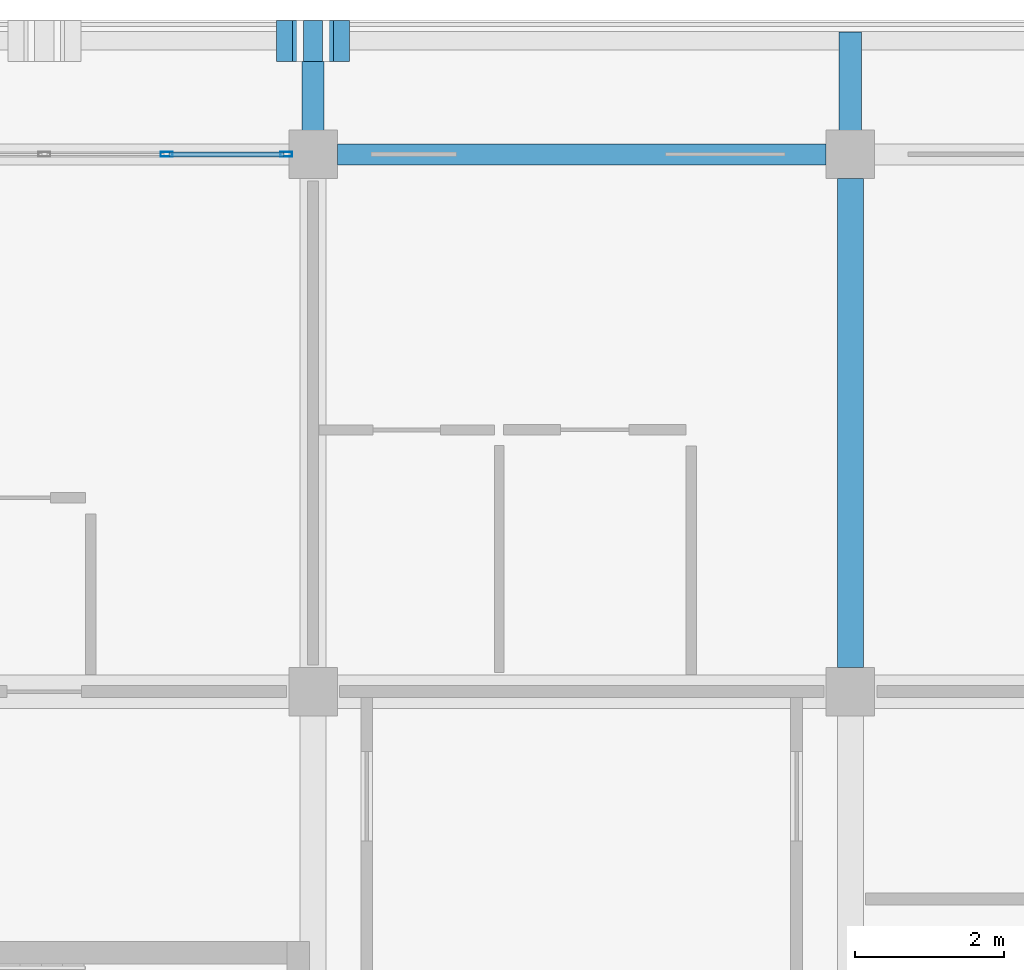
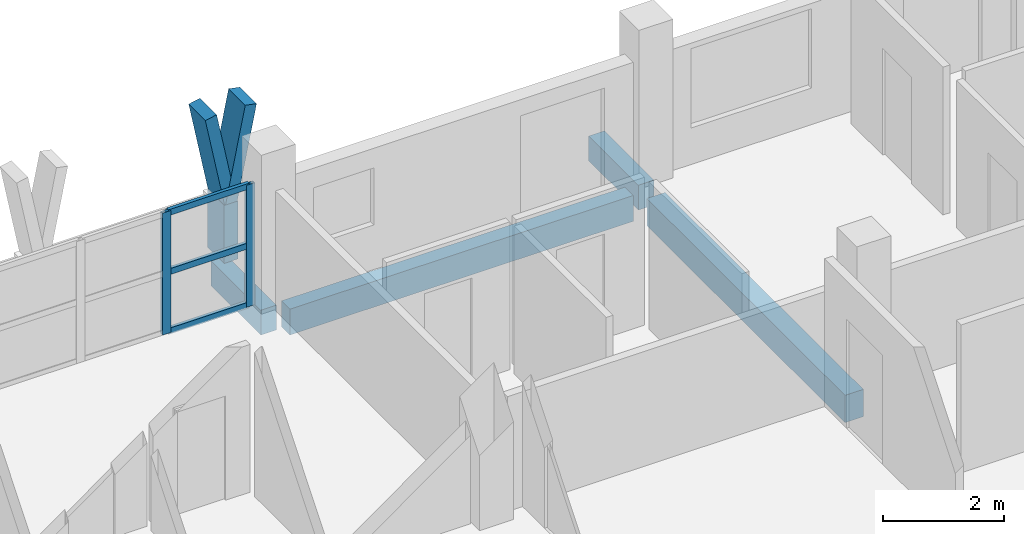
# One storey, part 18 of 76: 8 members, 4 beams, 1 element without a shape of its own.
"""IFC4 building model written with IfcOpenShell, lengths in metres."""

from ifc_helpers import new_model, si_unit, direction, frame, origin, origin_2d, place, context, subcontext, project, spatial, rectangle, hollow_rectangle, extrude, material, material_profile, profile_set, type_object, element, aggregate, save


model = new_model("IFC4")

# Units and contexts
model_context = context("Model", 3, precision=1e-05, world=origin(), true_north=direction((0.0, 1.0)))
body_context = subcontext(model_context, "Body", "Model", "MODEL_VIEW")
ifc_project = project(units=[si_unit("LENGTHUNIT", "METRE"), si_unit("AREAUNIT", "SQUARE_METRE"), si_unit("VOLUMEUNIT", "CUBIC_METRE"), si_unit("PLANEANGLEUNIT", "RADIAN"), si_unit("MASSUNIT", "GRAM", prefix="KILO")], contexts=[model_context])

# Site, building, storey
site_placement = place(None, origin())
site = spatial("IfcSite", under=ifc_project, at=site_placement, CompositionType="ELEMENT")
building_placement = place(site_placement, origin())
building = spatial("IfcBuilding", under=site, at=building_placement, Name="Suanplinth Sawtooth Commons", CompositionType="ELEMENT")
storey_placement = place(building_placement, frame((0.0, 0.0, 12.199951171875)))
storey = spatial("IfcBuildingStorey", under=building, at=storey_placement, Name="L03", CompositionType="ELEMENT", Elevation=12.199951171875)

# Beams
ifc_material_1 = material(Name="Precast concrete C40/50", Category="concrete")
ifc_material_profile_1 = material_profile(ifc_material_1, rectangle(XDim=0.35009765625, YDim=0.550048828125, at=origin_2d()), Name="PC-BM 350x550")
ifc_profile_set_1 = profile_set([ifc_material_profile_1], Name="Precast concrete C40/50")
beam_type_1 = type_object("IfcBeamType", Name="B-06", PredefinedType="BEAM", material=ifc_profile_set_1)
beam_1_placement = place(storey_placement, frame((72.0, 115.52490234375, -0.514892578125), z_axis=(0.0, 1.0, 0.0), x_axis=(-1.0, 0.0, 0.0)))
element("IfcBeam", 1, at=beam_1_placement, inside=storey, type_object=beam_type_1, Name="BMY-L03-A-10-16", PredefinedType="BEAM", context=body_context, shape_type="SweptSolid", body=[
    extrude(rectangle(XDim=0.35009765625, YDim=0.550048828125, at=origin_2d()), origin(), (0.0, 0.0, 1.0), 6.550048828125),
])
ifc_material_profile_2 = material_profile(ifc_material_1, rectangle(XDim=0.300048828125, YDim=0.5, at=origin_2d()), Name="PC-BM 300x500")
ifc_profile_set_2 = profile_set([ifc_material_profile_2], Name="Precast concrete C40/50")
beam_type_2 = type_object("IfcBeamType", Name="B-07", PredefinedType="BEAM", material=ifc_profile_set_2)
for number, where, z_axis, x_axis, name in (
    (2, (64.800048828125, 122.39990234375, -0.429931640625), (0.0, 1.0, 0.0), (-1.0, 0.0, 0.0), "Balcony Outrigger L03-A-N-9"),
    (3, (72.0, 122.39990234375, -0.429931640625), (0.0, 1.0, 0.0), (-1.0, 0.0, 0.0), "Balcony Outrigger L03-A-N-10"),
):
    element("IfcBeam", number, at=place(storey_placement, frame(where, z_axis=z_axis, x_axis=x_axis)), inside=storey, type_object=beam_type_2, Name=name, PredefinedType="BEAM", context=body_context, shape_type="SweptSolid", body=[
        extrude(rectangle(XDim=0.300048828125, YDim=0.5, at=origin_2d()), origin(), (0.0, 0.0, 1.0), 1.64013671875),
    ])
ifc_material_profile_3 = material_profile(ifc_material_1, rectangle(XDim=0.280029296875, YDim=0.52001953125, at=origin_2d()), Name="PC-SP 280x520")
ifc_profile_set_3 = profile_set([ifc_material_profile_3], Name="Precast concrete C40/50")
beam_type_3 = type_object("IfcBeamType", Name="B-08", PredefinedType="SPANDREL", material=ifc_profile_set_3)
beam_2_placement = place(storey_placement, frame((65.125, 122.39990234375, -0.5), z_axis=(1.0, 0.0, 0.0), x_axis=(0.0, 1.0, 0.0)))
element("IfcBeam", 4, at=beam_2_placement, inside=storey, type_object=beam_type_3, Name="BMX-L03-A-9-17", PredefinedType="SPANDREL", context=body_context, shape_type="SweptSolid", body=[
    extrude(rectangle(XDim=0.280029296875, YDim=0.52001953125, at=origin_2d()), origin(), (0.0, 0.0, 1.0), 6.550048828125),
])

# Members
ifc_material_2 = material(Name="Pigmented precast concrete C40/50", Category="concrete")
ifc_material_profile_4 = material_profile(ifc_material_2, rectangle(XDim=0.260009765625, YDim=0.550048828125, at=origin_2d()), Name="PC-FIN 260x550")
ifc_profile_set_4 = profile_set([ifc_material_profile_4], Name="Pigmented precast concrete C40/50")
member_type_1 = type_object("IfcMemberType", Name="M-09", PredefinedType="USERDEFINED", material=ifc_profile_set_4)
member_1_placement = place(storey_placement, frame((64.800048828125, 123.919921875, 0.0), z_axis=(0.0, 0.0, 1.0), x_axis=(1.0, 0.0, 0.0)))
element("IfcMember", 5, at=member_1_placement, inside=storey, type_object=member_type_1, Name="Y-Blade Stem L03-A-N-07", ObjectType="SHADING FIN", PredefinedType="USERDEFINED", context=body_context, shape_type="SweptSolid", body=[
    extrude(rectangle(XDim=0.260009765625, YDim=0.550048828125, at=origin_2d()), origin(), (0.0, 0.0, 1.0), 1.170166015625),
])
ifc_material_profile_5 = material_profile(ifc_material_2, rectangle(XDim=0.219970703125, YDim=0.550048828125, at=origin_2d()), Name="PC-FIN 220x550")
ifc_profile_set_5 = profile_set([ifc_material_profile_5], Name="Pigmented precast concrete C40/50")
member_type_2 = type_object("IfcMemberType", Name="M-10", PredefinedType="USERDEFINED", material=ifc_profile_set_5)
member_2_placement = place(storey_placement, frame((64.800048828125, 123.919921875, 1.130126953125), z_axis=(-0.196431120402, 0.0, 0.980517626021), x_axis=(0.980517626021, 0.0, 0.196431120402)))
element("IfcMember", 6, at=member_2_placement, inside=storey, type_object=member_type_2, Name="Y-Blade Arm L L03-A-N-07", ObjectType="SHADING FIN", PredefinedType="USERDEFINED", context=body_context, shape_type="SweptSolid", body=[
    extrude(rectangle(XDim=0.219970703125, YDim=0.550048828125, at=origin_2d()), origin(), (0.0, 0.0, 1.0), 1.937744140625),
])
member_3_placement = place(storey_placement, frame((64.800048828125, 123.919921875, 1.130126953125), z_axis=(0.196309979414, 0.0, 0.980541886909), x_axis=(-0.980541886909, 0.0, 0.196309979414)))
element("IfcMember", 7, at=member_3_placement, inside=storey, type_object=member_type_2, Name="Y-Blade Arm R L03-A-N-07", ObjectType="SHADING FIN", PredefinedType="USERDEFINED", context=body_context, shape_type="SweptSolid", body=[
    extrude(rectangle(XDim=0.219970703125, YDim=0.550048828125, at=origin_2d()), origin(), (0.0, 0.0, 1.0), 1.9375),
])

# Curtain wall, members
ifc_material_3 = material(Name="Anodized aluminium and low-E glazing", Category="aluminium")
curtain_wall_type = type_object("IfcCurtainWallType", Name="CW-06", PredefinedType="USERDEFINED", material=ifc_material_3)
curtain_wall_placement = place(storey_placement, origin())
curtain_wall = element("IfcCurtainWall", 8, at=curtain_wall_placement, inside=storey, type_object=curtain_wall_type, Name="Curtain Wall CW-L03-A-LOUNGE-8", ObjectType="CURTAIN WALL", PredefinedType="USERDEFINED")
ifc_material_4 = material(Name="Anodized aluminium 6063-T6", Category="aluminium")
ifc_material_profile_6 = material_profile(ifc_material_4, hollow_rectangle(XDim=0.06494140625, YDim=0.159912109375, WallThickness=0.00390625, at=origin_2d()), Name="ALU-MUL 65x160")
ifc_profile_set_6 = profile_set([ifc_material_profile_6], Name="Anodized aluminium 6063-T6")
member_type_3 = type_object("IfcMemberType", Name="M-13", PredefinedType="MULLION", material=ifc_profile_set_6)
member_4_placement = place(storey_placement, frame((62.83740234375, 122.39990234375, 0.0), z_axis=(0.0, 0.0, 1.0), x_axis=(0.0, 1.0, 0.0)))
member_4 = element("IfcMember", 9, at=member_4_placement, type_object=member_type_3, Name="CW-06 mullion 4", PredefinedType="MULLION", context=body_context, shape_type="SweptSolid", body=[
    extrude(hollow_rectangle(XDim=0.06494140625, YDim=0.159912109375, WallThickness=0.00390625, at=origin_2d()), origin(), (0.0, 0.0, 1.0), 2.4599609375),
])
member_5_placement = place(storey_placement, frame((64.4423828125, 122.39990234375, 0.0), z_axis=(0.0, 0.0, 1.0), x_axis=(0.0, 1.0, 0.0)))
member_5 = element("IfcMember", 10, at=member_5_placement, type_object=member_type_3, Name="CW-06 mullion 5", PredefinedType="MULLION", context=body_context, shape_type="SweptSolid", body=[
    extrude(hollow_rectangle(XDim=0.06494140625, YDim=0.159912109375, WallThickness=0.00390625, at=origin_2d()), origin(), (0.0, 0.0, 1.0), 2.4599609375),
])
ifc_material_profile_7 = material_profile(ifc_material_4, hollow_rectangle(XDim=0.06494140625, YDim=0.1201171875, WallThickness=0.00390625, at=origin_2d()), Name="ALU-TRN 65x120")
ifc_profile_set_7 = profile_set([ifc_material_profile_7], Name="Anodized aluminium 6063-T6")
member_type_4 = type_object("IfcMemberType", Name="M-15", PredefinedType="USERDEFINED", material=ifc_profile_set_7)
member_6_placement = place(storey_placement, frame((62.8701171875, 122.39990234375, 0.032470703125), z_axis=(1.0, 0.0, 0.0), x_axis=(0.0, 1.0, 0.0)))
member_6 = element("IfcMember", 11, at=member_6_placement, type_object=member_type_4, Name="CW-06 transom 4.1", ObjectType="TRANSOM", PredefinedType="USERDEFINED", context=body_context, shape_type="SweptSolid", body=[
    extrude(hollow_rectangle(XDim=0.06494140625, YDim=0.1201171875, WallThickness=0.00390625, at=origin_2d()), origin(), (0.0, 0.0, 1.0), 1.539794921875),
])
member_7_placement = place(storey_placement, frame((62.8701171875, 122.39990234375, 1.22998046875), z_axis=(1.0, 0.0, 0.0), x_axis=(0.0, 1.0, 0.0)))
member_7 = element("IfcMember", 12, at=member_7_placement, type_object=member_type_4, Name="CW-06 transom 4.2", ObjectType="TRANSOM", PredefinedType="USERDEFINED", context=body_context, shape_type="SweptSolid", body=[
    extrude(hollow_rectangle(XDim=0.06494140625, YDim=0.1201171875, WallThickness=0.00390625, at=origin_2d()), origin(), (0.0, 0.0, 1.0), 1.539794921875),
])
member_8_placement = place(storey_placement, frame((62.8701171875, 122.39990234375, 2.427490234375), z_axis=(1.0, 0.0, 0.0), x_axis=(0.0, 1.0, 0.0)))
member_8 = element("IfcMember", 13, at=member_8_placement, type_object=member_type_4, Name="CW-06 transom 4.3", ObjectType="TRANSOM", PredefinedType="USERDEFINED", context=body_context, shape_type="SweptSolid", body=[
    extrude(hollow_rectangle(XDim=0.06494140625, YDim=0.1201171875, WallThickness=0.00390625, at=origin_2d()), origin(), (0.0, 0.0, 1.0), 1.539794921875),
])
aggregate(curtain_wall, [member_4, member_5, member_6, member_7, member_8])

save(model, "model.ifc")
